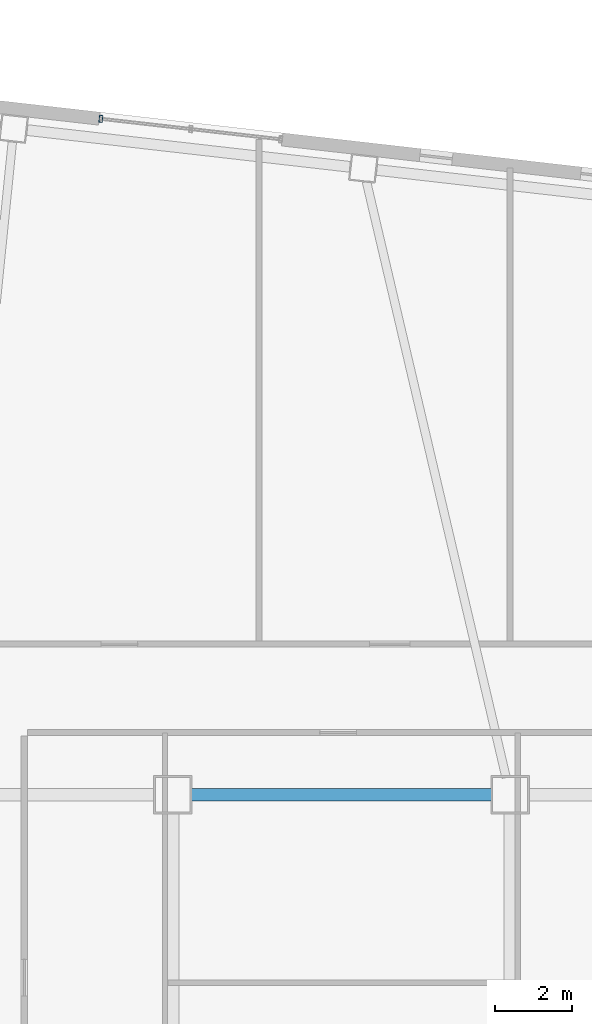
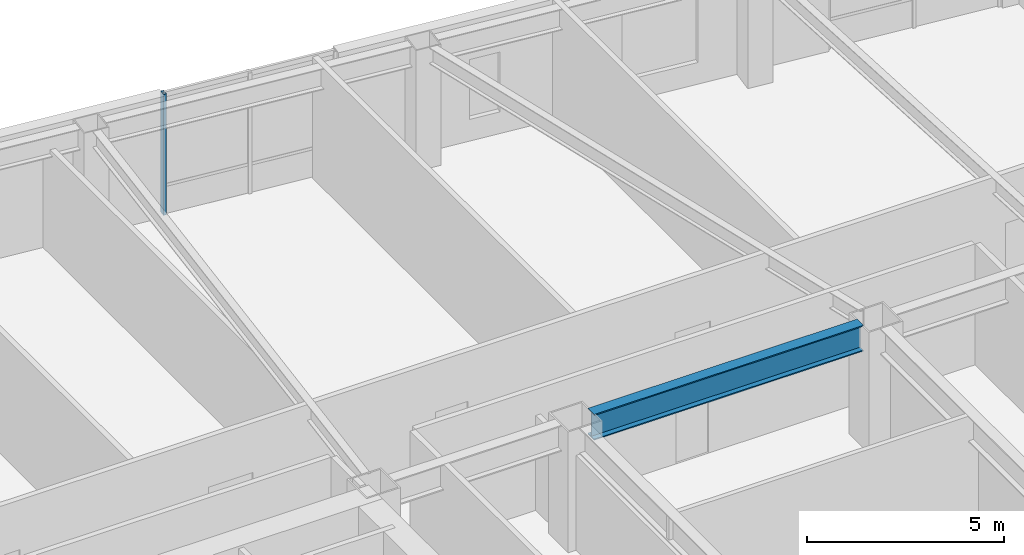
# One storey, part 7 of 22: 1 beam, 1 member, 1 element without a shape of its own.
"""IFC4 building model written with IfcOpenShell, lengths in metres."""

from ifc_helpers import new_model, si_unit, direction, frame, origin, origin_2d, place, context, subcontext, project, spatial, hollow_rectangle, i_section, extrude, material, layer, layer_set, material_profile, profile_set, type_object, element, aggregate, save


model = new_model("IFC4")

# Units and contexts
model_context = context("Model", 3, precision=1e-05, world=origin(), true_north=direction((0.0, 1.0)))
body_context = subcontext(model_context, "Body", "Model", "MODEL_VIEW")
ifc_project = project(units=[si_unit("LENGTHUNIT", "METRE"), si_unit("AREAUNIT", "SQUARE_METRE"), si_unit("VOLUMEUNIT", "CUBIC_METRE"), si_unit("PLANEANGLEUNIT", "RADIAN"), si_unit("MASSUNIT", "GRAM", prefix="KILO")], contexts=[model_context])

# Site, building, storey
site_placement = place(None, origin())
site = spatial("IfcSite", under=ifc_project, at=site_placement, CompositionType="ELEMENT")
building_placement = place(site_placement, origin())
building = spatial("IfcBuilding", under=site, at=building_placement, Name="Tavrogorsk Clinical Tower", CompositionType="ELEMENT")
storey_placement = place(building_placement, frame((0.0, 0.0, 93.39990234375)))
storey = spatial("IfcBuildingStorey", under=building, at=storey_placement, Name="L20", CompositionType="ELEMENT", Elevation=93.39990234375)

# Curtain wall, member
ifc_material_1 = material(Name="Anodised aluminium and triple IGU glazing", Category="aluminium")
ifc_layer = layer(ifc_material_1, 0.179931640625)
ifc_layer_set = layer_set([ifc_layer], Name="Anodised aluminium and triple IGU glazing")
curtain_wall_type = type_object("IfcCurtainWallType", Name="CW2_NorthSlot", PredefinedType="NOTDEFINED", material=ifc_layer_set)
curtain_wall_placement = place(storey_placement, origin())
curtain_wall = element("IfcCurtainWall", 1, at=curtain_wall_placement, inside=storey, type_object=curtain_wall_type, Name="L20 Curtain Wall CW-L20-N-SLOT-1", PredefinedType="NOTDEFINED")
ifc_material_2 = material(Name="Anodised aluminium alloy AW-6060", Category="aluminium")
ifc_material_profile_1 = material_profile(ifc_material_2, hollow_rectangle(XDim=0.090087890625, YDim=0.179931640625, WallThickness=0.00634765625, at=origin_2d()), Name="RHS-180x90x6.3")
ifc_profile_set_1 = profile_set([ifc_material_profile_1], Name="Anodised aluminium alloy AW-6060")
member_type = type_object("IfcMemberType", Name="CwMullion_180x90", PredefinedType="MULLION", material=ifc_profile_set_1)
member_placement = place(storey_placement, frame((-6.273681640625, 23.9775390625, 0.0), z_axis=(0.0, 0.0, 1.0), x_axis=(-0.993571858269, 0.113203191016, 0.0)))
member = element("IfcMember", 2, at=member_placement, type_object=member_type, Name="CW-L20-N-SLOT-1 Mullion 3", PredefinedType="MULLION", context=body_context, shape_type="SweptSolid", body=[
    extrude(hollow_rectangle(XDim=0.090087890625, YDim=0.179931640625, WallThickness=0.00634765625, at=origin_2d()), origin(), (0.0, 0.0, 1.0), 3.739990234375),
])
aggregate(curtain_wall, [member])

# Beam
ifc_material_3 = material(Name="Structural steel S390", Category="steel")
ifc_material_profile_2 = material_profile(ifc_material_3, i_section(OverallWidth=0.320068359375, OverallDepth=0.800048828125, WebThickness=0.02001953125, FlangeThickness=0.033935546875, at=origin_2d()), Name="B-800x320x20x34")
ifc_profile_set_2 = profile_set([ifc_material_profile_2], Name="Structural steel S390")
beam_type = type_object("IfcBeamType", Name="PrimaryGirder_B800", PredefinedType="USERDEFINED", material=ifc_profile_set_2)
beam_placement = place(storey_placement, frame((-3.93994140625, 6.35009765625, 3.340087890625), z_axis=(1.0, 0.0, 0.0), x_axis=(0.0, 1.0, 0.0)))
element("IfcBeam", 3, at=beam_placement, inside=storey, type_object=beam_type, Name="L20 Primary Spine Girder MG-04", ObjectType="GIRDER", PredefinedType="USERDEFINED", context=body_context, shape_type="SweptSolid", body=[
    extrude(i_section(OverallWidth=0.320068359375, OverallDepth=0.800048828125, WebThickness=0.02001953125, FlangeThickness=0.033935546875, at=origin_2d()), origin(), (0.0, 0.0, 1.0), 7.8798828125),
])

save(model, "model.ifc")
